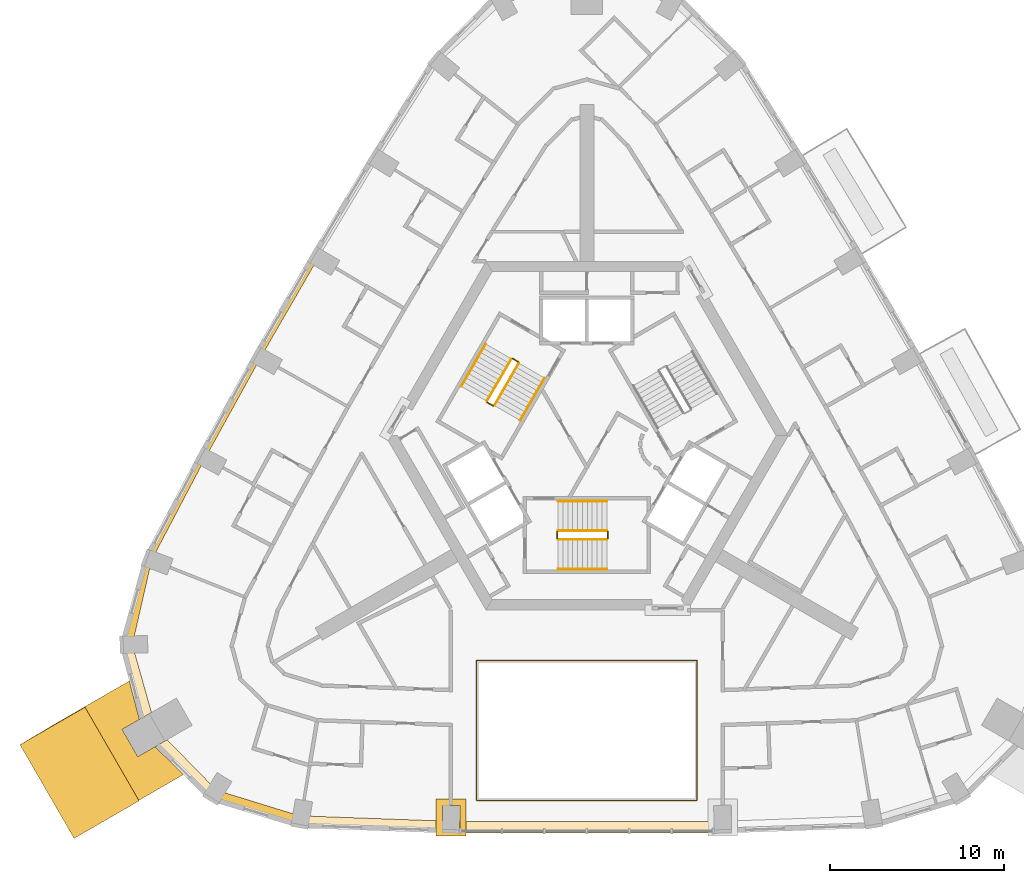
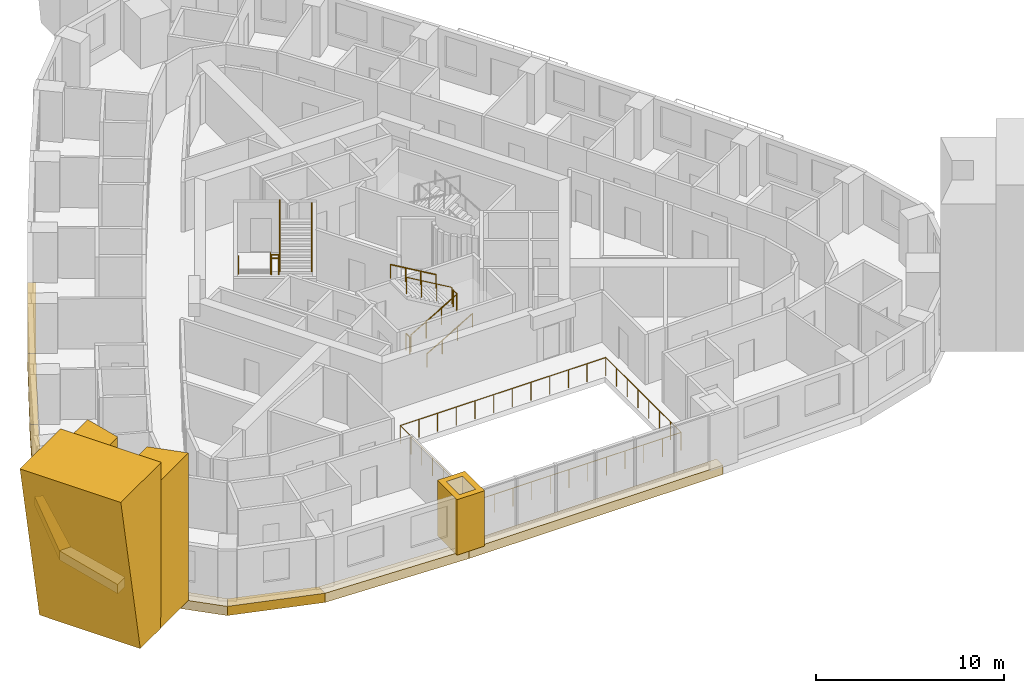
# One storey, part 12 of 14: 13 railings, 12 coverings.
"""IFC4 building model written with IfcOpenShell, lengths in metres."""

import ifcopenshell
import ifcopenshell.guid

model = None  # the IFC model being written
_history = None  # IfcOwnerHistory: only IFC2X3 demands one
_inside = {}  # id of a spatial element -> (the spatial element, [elements in it])
_under = {}  # id of a project, library or spatial element -> (it, [spatial elements below it])
_declared = {}  # id of a project -> (the project, [libraries it declares])
_typed = {}  # id of a type object -> (the type object, [elements of that type])
_made_of = {}  # id of a material, layer set ... -> (it, [elements and type objects made of it])


def new_model(schema):
    """Start an empty IFC model of exactly this schema.

    Asked for "IFC4X3", IfcOpenShell would pick the latest addendum, in which some entities
    have other attributes; the version numbers below select the first issue.
    IFC2X3 requires an IfcOwnerHistory on every rooted entity: one is made here for all.
    """
    global model, _history
    if schema == "IFC4X3":
        model = ifcopenshell.file(schema_version=(4, 3, 0, 0))
    else:
        model = ifcopenshell.file(schema=schema)
    _inside.clear()
    _under.clear()
    _declared.clear()
    _typed.clear()
    _made_of.clear()
    _history = None
    if model.schema == "IFC2X3":
        org = make("IfcOrganization", Name="unknown")
        user = make(
            "IfcPersonAndOrganization",
            ThePerson=make("IfcPerson", FamilyName="unknown"),
            TheOrganization=org,
        )
        app = make(
            "IfcApplication",
            ApplicationDeveloper=org,
            Version="unknown",
            ApplicationFullName="unknown",
            ApplicationIdentifier="unknown",
        )
        _history = make(
            "IfcOwnerHistory",
            OwningUser=user,
            OwningApplication=app,
            ChangeAction="ADDED",
            CreationDate=0,
        )
    return model


def make(cls, **values):
    """One entity of the class cls with the attributes given. An attribute that is None is left unset."""
    return model.create_entity(
        cls, **{name: value for name, value in values.items() if value is not None}
    )


def rooted(cls, **values):
    """An entity with a GlobalId (a new one), such as an element, a storey or a relation."""
    return make(cls, GlobalId=ifcopenshell.guid.new(), OwnerHistory=_history, **values)


def si_unit(unit_type, name, prefix=None):
    """IfcSIUnit, for example si_unit("LENGTHUNIT", "METRE", prefix="MILLI")."""
    return make("IfcSIUnit", UnitType=unit_type, Prefix=prefix, Name=name)


def assignment(units):
    """IfcUnitAssignment: the units of a project."""
    return None if units is None else make("IfcUnitAssignment", Units=units)


def point(xyz):
    """IfcCartesianPoint."""
    return None if xyz is None else make("IfcCartesianPoint", Coordinates=xyz)


def direction(xyz):
    """IfcDirection."""
    return None if xyz is None else make("IfcDirection", DirectionRatios=xyz)


def frame(location, z_axis=None, x_axis=None):
    """IfcAxis2Placement3D, a coordinate frame: its origin and axes. An axis left out is left unset."""
    return make(
        "IfcAxis2Placement3D",
        Location=point(location),
        Axis=direction(z_axis),
        RefDirection=direction(x_axis),
    )


def frame_2d(location, x_axis=None):
    """IfcAxis2Placement2D, a coordinate frame in the plane: its origin and x axis."""
    return make(
        "IfcAxis2Placement2D", Location=point(location), RefDirection=direction(x_axis)
    )


def origin():
    """The frame at (0, 0, 0) with its axes left unset."""
    return frame((0.0, 0.0, 0.0))


def origin_2d():
    """The frame at (0, 0) in the plane with its x axis left unset."""
    return frame_2d((0.0, 0.0))


def place(relative_to, where):
    """IfcLocalPlacement: puts the frame where relative to a parent placement (None: the world)."""
    return make(
        "IfcLocalPlacement", PlacementRelTo=relative_to, RelativePlacement=where
    )


def context(
    kind, dimensions, precision=None, world=None, true_north=None, identifier=None
):
    """IfcGeometricRepresentationContext, for example the 3D "Model" context."""
    return make(
        "IfcGeometricRepresentationContext",
        ContextIdentifier=identifier,
        ContextType=kind,
        CoordinateSpaceDimension=dimensions,
        Precision=precision,
        WorldCoordinateSystem=world,
        TrueNorth=true_north,
    )


def subcontext(parent, identifier, kind, view, scale=None):
    """IfcGeometricRepresentationSubContext, for example "Body" below "Model"."""
    return make(
        "IfcGeometricRepresentationSubContext",
        ContextIdentifier=identifier,
        ContextType=kind,
        ParentContext=parent,
        TargetScale=scale,
        TargetView=view,
    )


def project(units=None, contexts=None):
    """IfcProject with its units and contexts."""
    return rooted(
        "IfcProject",
        Name="project",
        RepresentationContexts=contexts,
        UnitsInContext=assignment(units),
    )


def spatial(cls, under=None, at=None, **own):
    """A site, building, storey or space (cls), placed at a placement, below another one or the project."""
    s = rooted(cls, ObjectPlacement=at, **own)
    if under is not None:
        _under.setdefault(under.id(), (under, []))[1].append(s)
    return s


def polyline(points):
    """IfcPolyline through the points."""
    return make("IfcPolyline", Points=[point(p) for p in points])


def profile(cls, at=None, kind="AREA", **sizes):
    """A parametric profile (cls). Its sizes go by their IFC names, for example OverallWidth=200.0."""
    return make(cls, ProfileType=kind, Position=at, **sizes)


def circle(**sizes):
    """IfcCircleProfileDef."""
    return profile("IfcCircleProfileDef", **sizes)


def outline(outer, holes=None, kind="AREA"):
    """IfcArbitraryClosedProfileDef: a profile drawn as a closed curve; with holes, ...WithVoids."""
    if holes is None:
        return make("IfcArbitraryClosedProfileDef", ProfileType=kind, OuterCurve=outer)
    return make(
        "IfcArbitraryProfileDefWithVoids",
        ProfileType=kind,
        OuterCurve=outer,
        InnerCurves=holes,
    )


def extrude(swept, where, along, depth):
    """IfcExtrudedAreaSolid: the profile swept, set in the frame where, extruded along a direction by depth."""
    return make(
        "IfcExtrudedAreaSolid",
        SweptArea=swept,
        Position=where,
        ExtrudedDirection=direction(along),
        Depth=depth,
    )


def shape(context_of_items, identifier, shape_type, items):
    """IfcShapeRepresentation: the items that make up one representation, for example the "Body"."""
    return make(
        "IfcShapeRepresentation",
        ContextOfItems=context_of_items,
        RepresentationIdentifier=identifier,
        RepresentationType=shape_type,
        Items=items,
    )


def material(Name=None, Category=None):
    """IfcMaterial."""
    return make("IfcMaterial", Name=Name, Category=Category)


def made_of(thing, what):
    """Note that an element or type object is made of a material, layer set ...; save() writes the relation."""
    if what is not None:
        _made_of.setdefault(what.id(), (what, []))[1].append(thing)
    return thing


def type_object(cls, material=None, **own):
    """A type object (cls), such as IfcWallType, which elements share."""
    return made_of(rooted(cls, **own), material)


def element(
    cls,
    number,
    at=None,
    inside=None,
    cuts=None,
    type_object=None,
    material=None,
    context=None,
    identifier="Body",
    shape_type=None,
    held_by="IfcProductDefinitionShape",
    body=None,
    shapes=None,
    **own,
):
    """One element of the class cls, such as IfcWall. Its Tag is "e" and its number.

    at: its placement. inside: the storey or other place that contains it. cuts: it is an
    opening in that element (IfcRelVoidsElement). A single representation is given by context,
    identifier, shape_type and body (its items); several are given by shapes. held_by: the class
    of the entity that holds the representations. save() writes the other relations.
    """
    e = rooted(cls, Tag="e%d" % number, ObjectPlacement=at, **own)
    if body is not None:
        shapes = [shape(context, identifier, shape_type, body)]
    if shapes is not None:
        e.Representation = make(held_by, Representations=shapes)
    if inside is not None:
        _inside.setdefault(inside.id(), (inside, []))[1].append(e)
    if cuts is not None:
        rooted(
            "IfcRelVoidsElement", RelatingBuildingElement=cuts, RelatedOpeningElement=e
        )
    if type_object is not None:
        _typed.setdefault(type_object.id(), (type_object, []))[1].append(e)
    return made_of(e, material)


def aggregate(whole, parts):
    """IfcRelAggregates: a whole, such as a stair, and the parts it consists of."""
    return rooted("IfcRelAggregates", RelatingObject=whole, RelatedObjects=parts)


def save(model, path):
    """Write the relations noted so far, then the file.

    IfcRelAggregates (storeys below a building ...), IfcRelContainedInSpatialStructure (elements
    in a storey), IfcRelDefinesByType, IfcRelAssociatesMaterial and IfcRelDeclares: one each for
    every whole, place, type object, material and project.
    """
    for whole, parts in _under.values():
        aggregate(whole, parts)
    for where, things in _inside.values():
        rooted(
            "IfcRelContainedInSpatialStructure",
            RelatedElements=things,
            RelatingStructure=where,
        )
    for kind, things in _typed.values():
        rooted("IfcRelDefinesByType", RelatedObjects=things, RelatingType=kind)
    for what, things in _made_of.values():
        rooted("IfcRelAssociatesMaterial", RelatedObjects=things, RelatingMaterial=what)
    for by, libraries in _declared.values():
        rooted("IfcRelDeclares", RelatingContext=by, RelatedDefinitions=libraries)
    model.write(path)


model = new_model("IFC4")

# Units and contexts
model_context = context("Model", 3, precision=1e-05, world=origin(), true_north=direction((0.0, 1.0)))
body_context = subcontext(model_context, "Body", "Model", "MODEL_VIEW")
ifc_project = project(units=[si_unit("LENGTHUNIT", "METRE"), si_unit("AREAUNIT", "SQUARE_METRE"), si_unit("VOLUMEUNIT", "CUBIC_METRE"), si_unit("PLANEANGLEUNIT", "RADIAN"), si_unit("MASSUNIT", "GRAM", prefix="KILO")], contexts=[model_context])

# Site, building, storey
site_placement = place(None, origin())
site = spatial("IfcSite", under=ifc_project, at=site_placement, CompositionType="ELEMENT")
building_placement = place(site_placement, origin())
building = spatial("IfcBuilding", under=site, at=building_placement, Name="Entoto Arch Interchange Tower", CompositionType="ELEMENT")
storey_placement = place(building_placement, frame((0.0, 0.0, 252.199951171875)))
storey = spatial("IfcBuildingStorey", under=building, at=storey_placement, Name="L57", CompositionType="ELEMENT", Elevation=252.199951171875)

# Railing
ifc_material_1 = material(Name="Stainless steel 1.4301", Category="steel")
railing_type_1 = type_object("IfcRailingType", Name="ATRIUM GUARD 1200 STEEL AND GLASS", PredefinedType="GUARDRAIL", material=ifc_material_1)
railing_1_placement = place(storey_placement, frame((6.320068359375, -18.408935546875, 0.0)))
element("IfcRailing", 1, at=railing_1_placement, inside=storey, type_object=railing_type_1, Name="Atrium guard L57", PredefinedType="GUARDRAIL", context=body_context, shape_type="SweptSolid", body=[
    extrude(circle(Radius=0.02392578125, at=origin_2d()), frame((0.0, 0.0, 1.17578125), z_axis=(-1.0, 0.0, 0.0), x_axis=(0.0, -1.0, 0.0)), (0.0, 0.0, 1.0), 12.64013671875),
    extrude(circle(Radius=0.02392578125, at=origin_2d()), frame((-12.64013671875, 0.0, 1.17578125), z_axis=(0.0, 1.0, 0.0), x_axis=(-1.0, 0.0, 0.0)), (0.0, 0.0, 1.0), 8.029052734375),
    extrude(circle(Radius=0.02392578125, at=origin_2d()), frame((-12.64013671875, 8.029052734375, 1.17578125), z_axis=(1.0, 0.0, 0.0), x_axis=(0.0, 1.0, 0.0)), (0.0, 0.0, 1.0), 12.64013671875),
    extrude(circle(Radius=0.02392578125, at=origin_2d()), frame((0.0, 8.029052734375, 1.17578125), z_axis=(0.0, -1.0, 0.0), x_axis=(1.0, 0.0, 0.0)), (0.0, 0.0, 1.0), 8.029052734375),
    extrude(circle(Radius=0.02099609375, at=origin_2d()), origin(), (0.0, 0.0, 1.0), 1.15185546875),
    extrude(circle(Radius=0.02099609375, at=origin_2d()), frame((-1.149169921875, 0.0, 0.0)), (0.0, 0.0, 1.0), 1.15185546875),
    extrude(circle(Radius=0.02099609375, at=origin_2d()), frame((-2.298095703125, 0.0, 0.0)), (0.0, 0.0, 1.0), 1.15185546875),
    extrude(circle(Radius=0.02099609375, at=origin_2d()), frame((-3.447265625, 0.0, 0.0)), (0.0, 0.0, 1.0), 1.15185546875),
    extrude(circle(Radius=0.02099609375, at=origin_2d()), frame((-4.596435546875, 0.0, 0.0)), (0.0, 0.0, 1.0), 1.15185546875),
    extrude(circle(Radius=0.02099609375, at=origin_2d()), frame((-5.74560546875, 0.0, 0.0)), (0.0, 0.0, 1.0), 1.15185546875),
    extrude(circle(Radius=0.02099609375, at=origin_2d()), frame((-6.89453125, 0.0, 0.0)), (0.0, 0.0, 1.0), 1.15185546875),
    extrude(circle(Radius=0.02099609375, at=origin_2d()), frame((-8.043701171875, 0.0, 0.0)), (0.0, 0.0, 1.0), 1.15185546875),
    extrude(circle(Radius=0.02099609375, at=origin_2d()), frame((-9.19287109375, 0.0, 0.0)), (0.0, 0.0, 1.0), 1.15185546875),
    extrude(circle(Radius=0.02099609375, at=origin_2d()), frame((-10.342041015625, 0.0, 0.0)), (0.0, 0.0, 1.0), 1.15185546875),
    extrude(circle(Radius=0.02099609375, at=origin_2d()), frame((-11.490966796875, 0.0, 0.0)), (0.0, 0.0, 1.0), 1.15185546875),
    extrude(circle(Radius=0.02099609375, at=origin_2d()), frame((-12.64013671875, 0.0, 0.0)), (0.0, 0.0, 1.0), 1.15185546875),
    extrude(circle(Radius=0.02099609375, at=origin_2d()), frame((-12.64013671875, 1.14697265625, 0.0)), (0.0, 0.0, 1.0), 1.15185546875),
    extrude(circle(Radius=0.02099609375, at=origin_2d()), frame((-12.64013671875, 2.2939453125, 0.0)), (0.0, 0.0, 1.0), 1.15185546875),
    extrude(circle(Radius=0.02099609375, at=origin_2d()), frame((-12.64013671875, 3.44091796875, 0.0)), (0.0, 0.0, 1.0), 1.15185546875),
    extrude(circle(Radius=0.02099609375, at=origin_2d()), frame((-12.64013671875, 4.588134765625, 0.0)), (0.0, 0.0, 1.0), 1.15185546875),
    extrude(circle(Radius=0.02099609375, at=origin_2d()), frame((-12.64013671875, 5.735107421875, 0.0)), (0.0, 0.0, 1.0), 1.15185546875),
    extrude(circle(Radius=0.02099609375, at=origin_2d()), frame((-12.64013671875, 6.882080078125, 0.0)), (0.0, 0.0, 1.0), 1.15185546875),
    extrude(circle(Radius=0.02099609375, at=origin_2d()), frame((-12.64013671875, 8.029052734375, 0.0)), (0.0, 0.0, 1.0), 1.15185546875),
    extrude(circle(Radius=0.02099609375, at=origin_2d()), frame((-11.490966796875, 8.029052734375, 0.0)), (0.0, 0.0, 1.0), 1.15185546875),
    extrude(circle(Radius=0.02099609375, at=origin_2d()), frame((-10.342041015625, 8.029052734375, 0.0)), (0.0, 0.0, 1.0), 1.15185546875),
    extrude(circle(Radius=0.02099609375, at=origin_2d()), frame((-9.19287109375, 8.029052734375, 0.0)), (0.0, 0.0, 1.0), 1.15185546875),
    extrude(circle(Radius=0.02099609375, at=origin_2d()), frame((-8.043701171875, 8.029052734375, 0.0)), (0.0, 0.0, 1.0), 1.15185546875),
    extrude(circle(Radius=0.02099609375, at=origin_2d()), frame((-6.89453125, 8.029052734375, 0.0)), (0.0, 0.0, 1.0), 1.15185546875),
    extrude(circle(Radius=0.02099609375, at=origin_2d()), frame((-5.74560546875, 8.029052734375, 0.0)), (0.0, 0.0, 1.0), 1.15185546875),
    extrude(circle(Radius=0.02099609375, at=origin_2d()), frame((-4.596435546875, 8.029052734375, 0.0)), (0.0, 0.0, 1.0), 1.15185546875),
    extrude(circle(Radius=0.02099609375, at=origin_2d()), frame((-3.447265625, 8.029052734375, 0.0)), (0.0, 0.0, 1.0), 1.15185546875),
    extrude(circle(Radius=0.02099609375, at=origin_2d()), frame((-2.298095703125, 8.029052734375, 0.0)), (0.0, 0.0, 1.0), 1.15185546875),
    extrude(circle(Radius=0.02099609375, at=origin_2d()), frame((-1.149169921875, 8.029052734375, 0.0)), (0.0, 0.0, 1.0), 1.15185546875),
    extrude(circle(Radius=0.02099609375, at=origin_2d()), frame((0.0, 8.029052734375, 0.0)), (0.0, 0.0, 1.0), 1.15185546875),
    extrude(circle(Radius=0.02099609375, at=origin_2d()), frame((0.0, 6.882080078125, 0.0)), (0.0, 0.0, 1.0), 1.15185546875),
    extrude(circle(Radius=0.02099609375, at=origin_2d()), frame((0.0, 5.735107421875, 0.0)), (0.0, 0.0, 1.0), 1.15185546875),
    extrude(circle(Radius=0.02099609375, at=origin_2d()), frame((0.0, 4.588134765625, 0.0)), (0.0, 0.0, 1.0), 1.15185546875),
    extrude(circle(Radius=0.02099609375, at=origin_2d()), frame((0.0, 3.44091796875, 0.0)), (0.0, 0.0, 1.0), 1.15185546875),
    extrude(circle(Radius=0.02099609375, at=origin_2d()), frame((0.0, 2.2939453125, 0.0)), (0.0, 0.0, 1.0), 1.15185546875),
    extrude(circle(Radius=0.02099609375, at=origin_2d()), frame((0.0, 1.14697265625, 0.0)), (0.0, 0.0, 1.0), 1.15185546875),
])

# Coverings
ifc_material_2 = material(Name="Board-marked precast concrete C50/60", Category="concrete")
covering_type_1 = type_object("IfcCoveringType", Name="PRECAST FRAME COURSE", PredefinedType="CLADDING", material=ifc_material_2)
covering_1_placement = place(storey_placement, frame((0.0, 0.0, -0.33984375)))
element("IfcCovering", 2, at=covering_1_placement, inside=storey, type_object=covering_type_1, Name="Corner pilaster SW L57-L59", PredefinedType="CLADDING", context=body_context, shape_type="SweptSolid", body=[
    extrude(outline(polyline([(-25.68408203125, -18.408935546875), (-28.783935546875, -13.0390625), (-26.22998046875, -11.56494140625), (-25.65087890625, -13.77099609375), (-26.64404296875, -14.344970703125), (-25.743896484375, -15.903076171875), (-24.751953125, -15.330078125), (-23.1298828125, -16.93408203125), (-25.68408203125, -18.408935546875)])), origin(), (0.0, 0.0, 1.0), 9.599853515625),
])
covering_2_placement = place(storey_placement, frame((-28.783935546875, -13.0390625, -0.33984375), z_axis=(-0.500125470065, 0.865947879698, 0.00296375434), x_axis=(-0.865951681851, -0.500127668399, 7.04919e-07)))
element("IfcCovering", 3, at=covering_2_placement, inside=storey, type_object=covering_type_1, Name="Corner rib SW L57-L59", PredefinedType="CLADDING", context=body_context, shape_type="SweptSolid", body=[
    extrude(outline(polyline([(0.0, 0.0), (2.178234046395329, 4.336808689942018e-19), (4.305289786903057, 10.799849084798424), (-0.0006603830698911028, 10.799853655643012), (0.0, 0.0)])), origin(), (0.0, 0.0, -1.0), 6.199951171875),
])
covering_3_placement = place(storey_placement, frame((0.0, 0.0, -0.33984375)))
element("IfcCovering", 4, at=covering_3_placement, inside=storey, type_object=covering_type_1, Name="Gate pier L57", PredefinedType="CLADDING", context=body_context, shape_type="SweptSolid", body=[
    extrude(outline(polyline([(-8.634033203125, -18.339111328125), (-6.93408203125, -18.339111328125), (-6.93408203125, -20.43896484375), (-8.634033203125, -20.43896484375), (-8.634033203125, -18.339111328125)]), holes=[polyline([(-8.283935546875, -18.68896484375), (-8.283935546875, -20.089111328125), (-7.283935546875, -20.089111328125), (-7.283935546875, -18.68896484375), (-8.283935546875, -18.68896484375)])]), origin(), (0.0, 0.0, 1.0), 3.599853515625),
])
covering_type_2 = type_object("IfcCoveringType", Name="PRECAST LEDGE COURSE", PredefinedType="CLADDING", material=ifc_material_2)
covering_4_placement = place(storey_placement, frame((0.0, 0.0, -0.93994140625)))
element("IfcCovering", 5, at=covering_4_placement, inside=storey, type_object=covering_type_2, Name="Precast course S-01 L57", PredefinedType="CLADDING", context=body_context, shape_type="SweptSolid", body=[
    extrude(outline(polyline([(-7.800048828125, -19.60791015625), (-7.800048828125, -20.2890625), (-16.47998046875, -19.986083984375), (-16.47998046875, -19.291015625), (-7.800048828125, -19.60791015625)])), origin(), (0.0, 0.0, 1.0), 0.60009765625),
])
covering_5_placement = place(storey_placement, frame((0.0, 0.0, -0.93994140625)))
element("IfcCovering", 6, at=covering_5_placement, inside=storey, type_object=covering_type_2, Name="Precast course S-02 L57", PredefinedType="CLADDING", context=body_context, shape_type="SweptSolid", body=[
    extrude(outline(polyline([(7.800048828125, -19.60791015625), (7.800048828125, -20.2890625), (-7.800048828125, -20.2890625), (-7.800048828125, -19.60791015625), (7.800048828125, -19.60791015625)])), origin(), (0.0, 0.0, 1.0), 0.60009765625),
])
covering_6_placement = place(storey_placement, frame((0.0, 0.0, -0.93994140625)))
element("IfcCovering", 7, at=covering_6_placement, inside=storey, type_object=covering_type_2, Name="Precast course NW-03 L57", PredefinedType="CLADDING", context=body_context, shape_type="SweptSolid", body=[
    extrude(outline(polyline([(-18.695068359375, 6.986083984375), (-19.087890625, 7.2080078125), (-15.785888671875, 12.926025390625), (-15.39794921875, 12.697021484375), (-18.695068359375, 6.986083984375)])), origin(), (0.0, 0.0, 1.0), 0.60009765625),
])
covering_7_placement = place(storey_placement, frame((0.0, 0.0, -0.93994140625)))
element("IfcCovering", 8, at=covering_7_placement, inside=storey, type_object=covering_type_2, Name="Precast course NW-04 L57", PredefinedType="CLADDING", context=body_context, shape_type="SweptSolid", body=[
    extrude(outline(polyline([(-21.8779296875, 1.2109375), (-22.280029296875, 1.427978515625), (-19.087890625, 7.2080078125), (-18.695068359375, 6.986083984375), (-21.8779296875, 1.2109375)])), origin(), (0.0, 0.0, 1.0), 0.60009765625),
])
covering_8_placement = place(storey_placement, frame((0.0, 0.0, -0.93994140625)))
element("IfcCovering", 9, at=covering_8_placement, inside=storey, type_object=covering_type_2, Name="Precast course NW-05 L57", PredefinedType="CLADDING", context=body_context, shape_type="SweptSolid", body=[
    extrude(outline(polyline([(-24.946044921875, -4.626953125), (-25.388916015625, -4.462890625), (-22.280029296875, 1.427978515625), (-21.8779296875, 1.2109375), (-24.946044921875, -4.626953125)])), origin(), (0.0, 0.0, 1.0), 0.60009765625),
])
covering_9_placement = place(storey_placement, frame((0.0, 0.0, -0.93994140625)))
element("IfcCovering", 10, at=covering_9_placement, inside=storey, type_object=covering_type_2, Name="Precast course SW-01 L57", PredefinedType="CLADDING", context=body_context, shape_type="SweptSolid", body=[
    extrude(outline(polyline([(-26.053955078125, -9.47607421875), (-26.77197265625, -9.493896484375), (-25.388916015625, -4.462890625), (-24.946044921875, -4.626953125), (-26.053955078125, -9.47607421875)])), origin(), (0.0, 0.0, 1.0), 0.60009765625),
])
covering_10_placement = place(storey_placement, frame((0.0, 0.0, -0.93994140625)))
element("IfcCovering", 11, at=covering_10_placement, inside=storey, type_object=covering_type_2, Name="Precast course SW-02 L57", PredefinedType="CLADDING", context=body_context, shape_type="SweptSolid", body=[
    extrude(outline(polyline([(-24.9580078125, -13.37109375), (-25.652099609375, -13.77099609375), (-26.77197265625, -9.493896484375), (-26.053955078125, -9.47607421875), (-24.9580078125, -13.37109375)])), origin(), (0.0, 0.0, 1.0), 0.60009765625),
])
covering_11_placement = place(storey_placement, frame((0.0, 0.0, -0.93994140625)))
element("IfcCovering", 12, at=covering_11_placement, inside=storey, type_object=covering_type_2, Name="Precast course SW-03 L57", PredefinedType="CLADDING", context=body_context, shape_type="SweptSolid", body=[
    extrude(outline(polyline([(-21.23388671875, -17.824951171875), (-21.60888671875, -18.43798828125), (-24.751953125, -15.330078125), (-24.05810546875, -14.929931640625), (-21.23388671875, -17.824951171875)])), origin(), (0.0, 0.0, 1.0), 0.60009765625),
])
covering_12_placement = place(storey_placement, frame((0.0, 0.0, -0.93994140625)))
element("IfcCovering", 13, at=covering_12_placement, inside=storey, type_object=covering_type_2, Name="Precast course SW-04 L57", PredefinedType="CLADDING", context=body_context, shape_type="SweptSolid", body=[
    extrude(outline(polyline([(-16.47998046875, -19.291015625), (-16.47998046875, -19.986083984375), (-21.60888671875, -18.43798828125), (-21.23388671875, -17.824951171875), (-16.47998046875, -19.291015625)])), origin(), (0.0, 0.0, 1.0), 0.60009765625),
])

# Railings
railing_type_2 = type_object("IfcRailingType", Name="STAIR GUARD 1100 STEEL", PredefinedType="GUARDRAIL", material=ifc_material_1)
railing_2_placement = place(storey_placement, frame((-1.64990234375, -3.449951171875, 0.16357421875)))
element("IfcRailing", 14, at=railing_2_placement, inside=storey, type_object=railing_type_2, Name="L57 ST-S stair guard 1", PredefinedType="GUARDRAIL", context=body_context, shape_type="SweptSolid", body=[
    extrude(circle(Radius=0.02392578125, at=origin_2d()), frame((0.0, 0.0, 1.076171875), z_axis=(0.863341702679, 0.0, 0.504619762213), x_axis=(0.0, 1.0, 0.0)), (0.0, 0.0, 1.0), 3.242919921875),
    extrude(circle(Radius=0.02099609375, at=origin_2d()), origin(), (0.0, 0.0, 1.0), 1.052001953125),
    extrude(circle(Radius=0.02099609375, at=origin_2d()), frame((0.933349609375, 0.0, 0.54541015625)), (0.0, 0.0, 1.0), 1.052001953125),
    extrude(circle(Radius=0.02099609375, at=origin_2d()), frame((1.866455078125, 0.0, 1.091064453125)), (0.0, 0.0, 1.0), 1.052001953125),
    extrude(circle(Radius=0.02099609375, at=origin_2d()), frame((2.7998046875, 0.0, 1.636474609375)), (0.0, 0.0, 1.0), 1.052001953125),
])
railing_3_placement = place(storey_placement, frame((1.199951171875, -3.39990234375, 1.800048828125)))
element("IfcRailing", 15, at=railing_3_placement, inside=storey, type_object=railing_type_2, Name="L57 ST-S stair guard 2", PredefinedType="GUARDRAIL", context=body_context, shape_type="SweptSolid", body=[
    extrude(circle(Radius=0.02392578125, at=origin_2d()), frame((0.0, 0.0, 1.076171875), z_axis=(0.0, 1.0, 0.0), x_axis=(-1.0, 0.0, 0.0)), (0.0, 0.0, 1.0), 0.39990234375),
    extrude(circle(Radius=0.02099609375, at=origin_2d()), origin(), (0.0, 0.0, 1.0), 1.052001953125),
    extrude(circle(Radius=0.02099609375, at=origin_2d()), frame((0.0, 0.39990234375, 0.0)), (0.0, 0.0, 1.0), 1.052001953125),
])
railing_4_placement = place(storey_placement, frame((1.14990234375, -2.949951171875, 1.963623046875)))
element("IfcRailing", 16, at=railing_4_placement, inside=storey, type_object=railing_type_2, Name="L57 ST-S stair guard 3", PredefinedType="GUARDRAIL", context=body_context, shape_type="SweptSolid", body=[
    extrude(circle(Radius=0.02392578125, at=origin_2d()), frame((0.0, 0.0, 1.076171875), z_axis=(-0.863341702679, 0.0, 0.504619762213), x_axis=(0.0, -1.0, 0.0)), (0.0, 0.0, 1.0), 3.242919921875),
    extrude(circle(Radius=0.02099609375, at=origin_2d()), origin(), (0.0, 0.0, 1.0), 1.052001953125),
    extrude(circle(Radius=0.02099609375, at=origin_2d()), frame((-0.933349609375, 0.0, 0.54541015625)), (0.0, 0.0, 1.0), 1.052001953125),
    extrude(circle(Radius=0.02099609375, at=origin_2d()), frame((-1.866455078125, 0.0, 1.091064453125)), (0.0, 0.0, 1.0), 1.052001953125),
    extrude(circle(Radius=0.02099609375, at=origin_2d()), frame((-2.7998046875, 0.0, 1.636474609375)), (0.0, 0.0, 1.0), 1.052001953125),
])
railing_5_placement = place(storey_placement, frame((-1.699951171875, -3.39990234375, 0.0)))
element("IfcRailing", 17, at=railing_5_placement, inside=storey, type_object=railing_type_2, Name="L57 ST-S stair guard 4", PredefinedType="GUARDRAIL", context=body_context, shape_type="SweptSolid", body=[
    extrude(circle(Radius=0.02392578125, at=origin_2d()), frame((0.0, 0.0, 1.076171875), z_axis=(0.0, 1.0, 0.0), x_axis=(-1.0, 0.0, 0.0)), (0.0, 0.0, 1.0), 0.39990234375),
    extrude(circle(Radius=0.02099609375, at=origin_2d()), origin(), (0.0, 0.0, 1.0), 1.052001953125),
    extrude(circle(Radius=0.02099609375, at=origin_2d()), frame((0.0, 0.39990234375, 0.0)), (0.0, 0.0, 1.0), 1.052001953125),
])
railing_6_placement = place(storey_placement, frame((-4.327880859375, 6.904052734375, 0.16357421875)))
element("IfcRailing", 18, at=railing_6_placement, inside=storey, type_object=railing_type_2, Name="L57 ST-NW stair guard 1", PredefinedType="GUARDRAIL", context=body_context, shape_type="SweptSolid", body=[
    extrude(circle(Radius=0.02392578125, at=origin_2d()), frame((0.0, 0.0, 1.076171875), z_axis=(-0.431636334334, -0.747723004699, 0.504579412111), x_axis=(0.866056369097, -0.49994636267, 0.0)), (0.0, 0.0, 1.0), 3.2431640625),
    extrude(circle(Radius=0.02099609375, at=origin_2d()), origin(), (0.0, 0.0, 1.0), 1.052001953125),
    extrude(circle(Radius=0.02099609375, at=origin_2d()), frame((-0.466552734375, -0.808349609375, 0.54541015625)), (0.0, 0.0, 1.0), 1.052001953125),
    extrude(circle(Radius=0.02099609375, at=origin_2d()), frame((-0.933349609375, -1.61669921875, 1.091064453125)), (0.0, 0.0, 1.0), 1.052001953125),
    extrude(circle(Radius=0.02099609375, at=origin_2d()), frame((-1.39990234375, -2.425048828125, 1.636474609375)), (0.0, 0.0, 1.0), 1.052001953125),
])
railing_7_placement = place(storey_placement, frame((-5.70947265625, 4.410888671875, 1.800048828125)))
element("IfcRailing", 19, at=railing_7_placement, inside=storey, type_object=railing_type_2, Name="L57 ST-NW stair guard 2", PredefinedType="GUARDRAIL", context=body_context, shape_type="SweptSolid", body=[
    extrude(circle(Radius=0.02392578125, at=origin_2d()), frame((0.0, 0.0, 1.076171875), z_axis=(0.865829829939, -0.500338590944, 0.0), x_axis=(0.500338590944, 0.865829829939, 0.0)), (0.0, 0.0, 1.0), 0.400146484375),
    extrude(circle(Radius=0.02099609375, at=origin_2d()), origin(), (0.0, 0.0, 1.0), 1.052001953125),
    extrude(circle(Radius=0.02099609375, at=origin_2d()), frame((0.346435546875, -0.2001953125, 0.0)), (0.0, 0.0, 1.0), 1.052001953125),
])
railing_8_placement = place(storey_placement, frame((-5.294921875, 4.22900390625, 1.963623046875)))
element("IfcRailing", 20, at=railing_8_placement, inside=storey, type_object=railing_type_2, Name="L57 ST-NW stair guard 3", PredefinedType="GUARDRAIL", context=body_context, shape_type="SweptSolid", body=[
    extrude(circle(Radius=0.02392578125, at=origin_2d()), frame((0.0, 0.0, 1.076171875), z_axis=(0.431697583215, 0.747698708645, 0.504563016616), x_axis=(-0.866018616679, 0.500011755427, 0.0)), (0.0, 0.0, 1.0), 3.243408203125),
    extrude(circle(Radius=0.02099609375, at=origin_2d()), origin(), (0.0, 0.0, 1.0), 1.052001953125),
    extrude(circle(Radius=0.02099609375, at=origin_2d()), frame((0.466796875, 0.808349609375, 0.54541015625)), (0.0, 0.0, 1.0), 1.052001953125),
    extrude(circle(Radius=0.02099609375, at=origin_2d()), frame((0.933349609375, 1.61669921875, 1.091064453125)), (0.0, 0.0, 1.0), 1.052001953125),
    extrude(circle(Radius=0.02099609375, at=origin_2d()), frame((1.400146484375, 2.425048828125, 1.636474609375)), (0.0, 0.0, 1.0), 1.052001953125),
])
railing_9_placement = place(storey_placement, frame((-4.259521484375, 6.92236328125, 0.0)))
element("IfcRailing", 21, at=railing_9_placement, inside=storey, type_object=railing_type_2, Name="L57 ST-NW stair guard 4", PredefinedType="GUARDRAIL", context=body_context, shape_type="SweptSolid", body=[
    extrude(circle(Radius=0.02392578125, at=origin_2d()), frame((0.0, 0.0, 1.076171875), z_axis=(0.865829829939, -0.500338590944, 0.0), x_axis=(0.500338590944, 0.865829829939, 0.0)), (0.0, 0.0, 1.0), 0.400146484375),
    extrude(circle(Radius=0.02099609375, at=origin_2d()), origin(), (0.0, 0.0, 1.0), 1.052001953125),
    extrude(circle(Radius=0.02099609375, at=origin_2d()), frame((0.346435546875, -0.2001953125, 0.0)), (0.0, 0.0, 1.0), 1.052001953125),
])
railing_type_3 = type_object("IfcRailingType", Name="STAIR HANDRAIL 900 STEEL", PredefinedType="HANDRAIL", material=ifc_material_1)
railing_10_placement = place(storey_placement, frame((-1.64990234375, -5.14990234375, 0.16357421875)))
element("IfcRailing", 22, at=railing_10_placement, inside=storey, type_object=railing_type_3, Name="L57 ST-S stair handrail 1", PredefinedType="HANDRAIL", context=body_context, shape_type="SweptSolid", body=[
    extrude(circle(Radius=0.02392578125, at=origin_2d()), frame((0.0, 0.0, 0.8759765625), z_axis=(0.863341702679, 0.0, 0.504619762213), x_axis=(0.0, 1.0, 0.0)), (0.0, 0.0, 1.0), 3.242919921875),
    extrude(circle(Radius=0.02099609375, at=origin_2d()), origin(), (0.0, 0.0, 1.0), 0.851806640625),
    extrude(circle(Radius=0.02099609375, at=origin_2d()), frame((0.933349609375, 0.0, 0.54541015625)), (0.0, 0.0, 1.0), 0.851806640625),
    extrude(circle(Radius=0.02099609375, at=origin_2d()), frame((1.866455078125, 0.0, 1.091064453125)), (0.0, 0.0, 1.0), 0.851806640625),
    extrude(circle(Radius=0.02099609375, at=origin_2d()), frame((2.7998046875, 0.0, 1.636474609375)), (0.0, 0.0, 1.0), 0.851806640625),
])
railing_11_placement = place(storey_placement, frame((1.14990234375, -1.25, 1.963623046875)))
element("IfcRailing", 23, at=railing_11_placement, inside=storey, type_object=railing_type_3, Name="L57 ST-S stair handrail 2", PredefinedType="HANDRAIL", context=body_context, shape_type="SweptSolid", body=[
    extrude(circle(Radius=0.02392578125, at=origin_2d()), frame((0.0, 0.0, 0.8759765625), z_axis=(-0.863341702679, 0.0, 0.504619762213), x_axis=(0.0, -1.0, 0.0)), (0.0, 0.0, 1.0), 3.242919921875),
    extrude(circle(Radius=0.02099609375, at=origin_2d()), origin(), (0.0, 0.0, 1.0), 0.851806640625),
    extrude(circle(Radius=0.02099609375, at=origin_2d()), frame((-0.933349609375, 0.0, 0.54541015625)), (0.0, 0.0, 1.0), 0.851806640625),
    extrude(circle(Radius=0.02099609375, at=origin_2d()), frame((-1.866455078125, 0.0, 1.091064453125)), (0.0, 0.0, 1.0), 0.851806640625),
    extrude(circle(Radius=0.02099609375, at=origin_2d()), frame((-2.7998046875, 0.0, 1.636474609375)), (0.0, 0.0, 1.0), 0.851806640625),
])
railing_12_placement = place(storey_placement, frame((-5.800048828125, 7.75390625, 0.16357421875)))
element("IfcRailing", 24, at=railing_12_placement, inside=storey, type_object=railing_type_3, Name="L57 ST-NW stair handrail 1", PredefinedType="HANDRAIL", context=body_context, shape_type="SweptSolid", body=[
    extrude(circle(Radius=0.02392578125, at=origin_2d()), frame((0.0, 0.0, 0.8759765625), z_axis=(-0.431721881032, -0.747665513933, 0.504591415616), x_axis=(0.865996816683, -0.500049511043, 0.0)), (0.0, 0.0, 1.0), 3.2431640625),
    extrude(circle(Radius=0.02099609375, at=origin_2d()), origin(), (0.0, 0.0, 1.0), 0.851806640625),
    extrude(circle(Radius=0.02099609375, at=origin_2d()), frame((-0.466796875, -0.808349609375, 0.54541015625)), (0.0, 0.0, 1.0), 0.851806640625),
    extrude(circle(Radius=0.02099609375, at=origin_2d()), frame((-0.933349609375, -1.616455078125, 1.091064453125)), (0.0, 0.0, 1.0), 0.851806640625),
    extrude(circle(Radius=0.02099609375, at=origin_2d()), frame((-1.400146484375, -2.4248046875, 1.636474609375)), (0.0, 0.0, 1.0), 0.851806640625),
])
railing_13_placement = place(storey_placement, frame((-3.822509765625, 3.379150390625, 1.963623046875)))
element("IfcRailing", 25, at=railing_13_placement, inside=storey, type_object=railing_type_3, Name="L57 ST-NW stair handrail 2", PredefinedType="HANDRAIL", context=body_context, shape_type="SweptSolid", body=[
    extrude(circle(Radius=0.02392578125, at=origin_2d()), frame((0.0, 0.0, 0.8759765625), z_axis=(0.431660630283, 0.747689811644, 0.504607813879), x_axis=(-0.866034573852, 0.49998411664, 0.0)), (0.0, 0.0, 1.0), 3.2431640625),
    extrude(circle(Radius=0.02099609375, at=origin_2d()), origin(), (0.0, 0.0, 1.0), 0.851806640625),
    extrude(circle(Radius=0.02099609375, at=origin_2d()), frame((0.466552734375, 0.808349609375, 0.54541015625)), (0.0, 0.0, 1.0), 0.851806640625),
    extrude(circle(Radius=0.02099609375, at=origin_2d()), frame((0.933349609375, 1.616455078125, 1.091064453125)), (0.0, 0.0, 1.0), 0.851806640625),
    extrude(circle(Radius=0.02099609375, at=origin_2d()), frame((1.39990234375, 2.4248046875, 1.636474609375)), (0.0, 0.0, 1.0), 0.851806640625),
])

save(model, "model.ifc")
